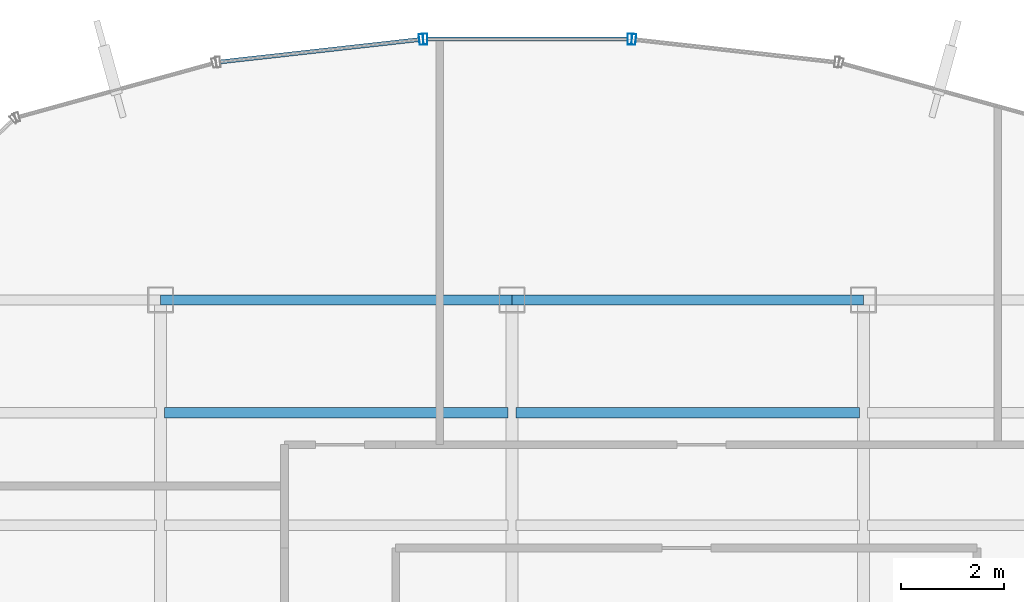
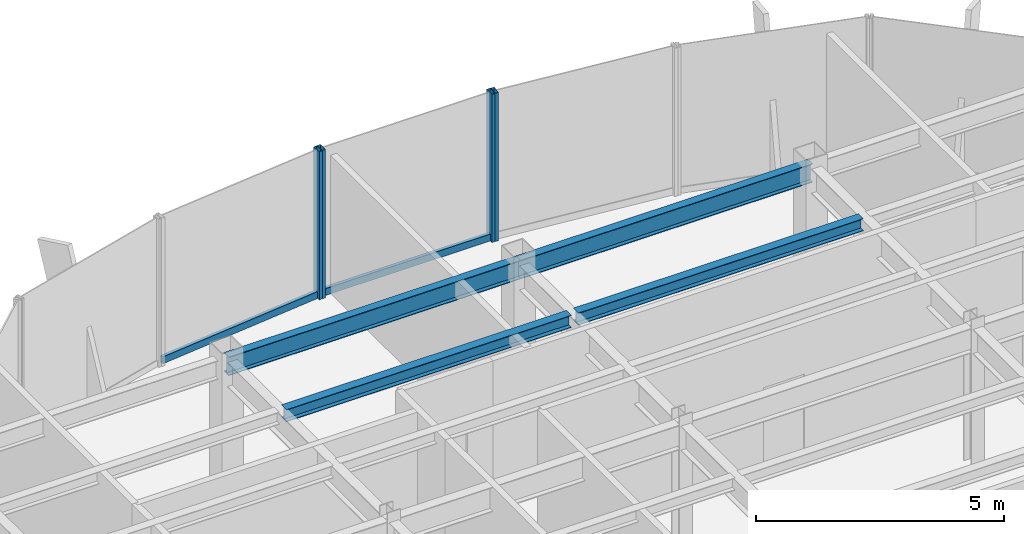
# One storey, part 13 of 22: 6 members, 4 beams, 3 elements without a shape of their own.
"""IFC4 building model written with IfcOpenShell, lengths in metres."""

from ifc_helpers import new_model, si_unit, derived_unit, direction, frame, origin, origin_2d, place, context, subcontext, project, spatial, hollow_rectangle, i_section, extrude, source, transform, mapped, material, material_profile, profile_set, type_object, element, aggregate, save


model = new_model("IFC4")

# Units and contexts
model_context = context("Model", 3, precision=1e-05, world=origin(), true_north=direction((0.0, 1.0)))
body_context = subcontext(model_context, "Body", "Model", "MODEL_VIEW")
ifc_project = project(units=[si_unit("LENGTHUNIT", "METRE"), si_unit("AREAUNIT", "SQUARE_METRE"), si_unit("VOLUMEUNIT", "CUBIC_METRE"), si_unit("PLANEANGLEUNIT", "RADIAN"), si_unit("MASSUNIT", "GRAM", prefix="KILO"), derived_unit("THERMALTRANSMITTANCEUNIT", [(si_unit("POWERUNIT", "WATT"), 1), (si_unit("LENGTHUNIT", "METRE"), -2), (si_unit("THERMODYNAMICTEMPERATUREUNIT", "KELVIN"), -1)])], contexts=[model_context])

# Site, building, storey
site_placement = place(None, origin())
site = spatial("IfcSite", under=ifc_project, at=site_placement, CompositionType="ELEMENT")
building_placement = place(site_placement, origin())
building = spatial("IfcBuilding", under=site, at=building_placement, Name="Skarnbrae Concourse Arena and Tower", CompositionType="ELEMENT")
storey_placement = place(building_placement, frame((0.0, 0.0, 269.75)))
storey = spatial("IfcBuildingStorey", under=building, at=storey_placement, Name="L70", CompositionType="ELEMENT", Elevation=269.75)

# Beams
ifc_material_1 = material(Name="Steel CSA G40.21 350W", Category="steel")
ifc_material_profile_1 = material_profile(ifc_material_1, i_section(OverallWidth=0.19091796875, OverallDepth=0.4599609375, WebThickness=0.010009765625, FlangeThickness=0.01611328125, at=origin_2d()), Name="W460X82")
ifc_profile_set_1 = profile_set([ifc_material_profile_1], Name="Steel CSA G40.21 350W")
beam_type_1 = type_object("IfcBeamType", Name="BM-SPAN-W460X82", PredefinedType="SPANDREL", material=ifc_profile_set_1)
shared_shape_1 = source(origin(), body_context, "Body", "SweptSolid", [
    extrude(i_section(OverallWidth=0.19091796875, OverallDepth=0.4599609375, WebThickness=0.010009765625, FlangeThickness=0.01611328125, at=origin_2d()), origin(), (0.0, 0.0, 1.0), 6.800048828125),
])
for number, where, z_axis, x_axis, name in (
    (1, (14.39990234375, 34.39990234375, 3.169921875), (1.0, 0.0, 0.0), (0.0, 1.0, 0.0), "L70 Perimeter spandrel Y34.4-2"),
    (2, (21.199951171875, 34.39990234375, 3.169921875), (1.0, 0.0, 0.0), (0.0, 1.0, 0.0), "L70 Perimeter spandrel Y34.4-3"),
):
    element("IfcBeam", number, at=place(storey_placement, frame(where, z_axis=z_axis, x_axis=x_axis)), inside=storey, type_object=beam_type_1, Name=name, PredefinedType="SPANDREL", context=body_context, shape_type="MappedRepresentation", body=[
        mapped(shared_shape_1, transform((0.0, 0.0, 0.0))),
    ])
ifc_material_profile_2 = material_profile(ifc_material_1, i_section(OverallWidth=0.202880859375, OverallDepth=0.302978515625, WebThickness=0.007568359375, FlangeThickness=0.01318359375, at=origin_2d()), Name="W310X60")
ifc_profile_set_2 = profile_set([ifc_material_profile_2], Name="Steel CSA G40.21 350W")
beam_type_2 = type_object("IfcBeamType", Name="BM-JOIST-W310X60", PredefinedType="JOIST", material=ifc_profile_set_2)
shared_shape_2 = source(origin(), body_context, "Body", "SweptSolid", [
    extrude(i_section(OverallWidth=0.202880859375, OverallDepth=0.302978515625, WebThickness=0.007568359375, FlangeThickness=0.01318359375, at=origin_2d()), origin(), (0.0, 0.0, 1.0), 6.64013671875),
])
beam_1_placement = place(storey_placement, frame((14.47998046875, 32.221923828125, 3.24853515625), z_axis=(1.0, 0.0, 0.0), x_axis=(0.0, 1.0, 0.0)))
element("IfcBeam", 3, at=beam_1_placement, inside=storey, type_object=beam_type_2, Name="L70 Secondary floor joist 3.2.2", PredefinedType="JOIST", context=body_context, shape_type="MappedRepresentation", body=[
    mapped(shared_shape_2, transform((0.0, 0.0, 0.0))),
])
shared_shape_3 = source(origin(), body_context, "Body", "SweptSolid", [
    extrude(i_section(OverallWidth=0.202880859375, OverallDepth=0.302978515625, WebThickness=0.007568359375, FlangeThickness=0.01318359375, at=origin_2d()), origin(), (0.0, 0.0, 1.0), 6.639892578125),
])
beam_2_placement = place(storey_placement, frame((21.280029296875, 32.221923828125, 3.24853515625), z_axis=(1.0, 0.0, 0.0), x_axis=(0.0, 1.0, 0.0)))
element("IfcBeam", 4, at=beam_2_placement, inside=storey, type_object=beam_type_2, Name="L70 Secondary floor joist 3.2.3", PredefinedType="JOIST", context=body_context, shape_type="MappedRepresentation", body=[
    mapped(shared_shape_3, transform((0.0, 0.0, 0.0))),
])

# Curtain wall, member
ifc_material_2 = material(Name="Bronze anodised aluminium 6063-T6", Category="aluminium")
curtain_wall_type = type_object("IfcCurtainWallType", Name="CW-SYS-03-PORTAL", PredefinedType="USERDEFINED", material=ifc_material_2)
curtain_wall_1_placement = place(storey_placement, origin())
curtain_wall_1 = element("IfcCurtainWall", 5, at=curtain_wall_1_placement, inside=storey, type_object=curtain_wall_type, Name="L70 Unitised curtain wall CW-L70-E10", ObjectType="UNITISED CURTAIN WALL", PredefinedType="USERDEFINED")
ifc_material_profile_3 = material_profile(ifc_material_2, hollow_rectangle(XDim=0.080078125, YDim=0.2099609375, WallThickness=0.00439453125, at=origin_2d()), Name="ALU-MULL-80X210")
ifc_profile_set_3 = profile_set([ifc_material_profile_3], Name="Bronze anodised aluminium 6063-T6")
member_type_1 = type_object("IfcMemberType", Name="CWM-CW-03", PredefinedType="MULLION", material=ifc_profile_set_3)
shared_shape_4 = source(origin(), body_context, "Body", "SweptSolid", [
    extrude(hollow_rectangle(XDim=0.080078125, YDim=0.2099609375, WallThickness=0.00439453125, at=origin_2d()), origin(), (0.0, 0.0, 1.0), 3.64990234375),
])
member_1_placement = place(storey_placement, frame((23.556884765625, 39.442138671875, 0.0), z_axis=(0.0, 0.0, 1.0), x_axis=(-0.993768891873, 0.111460259941, 0.0)))
member_1 = element("IfcMember", 6, at=member_1_placement, type_object=member_type_1, Name="CW-L70-E10 Mullion 2", PredefinedType="MULLION", context=body_context, shape_type="MappedRepresentation", body=[
    mapped(shared_shape_4, transform((0.0, 0.0, 0.0))),
])
aggregate(curtain_wall_1, [member_1])

# Curtain wall, members
curtain_wall_2_placement = place(storey_placement, origin())
curtain_wall_2 = element("IfcCurtainWall", 7, at=curtain_wall_2_placement, inside=storey, type_object=curtain_wall_type, Name="L70 Unitised curtain wall CW-L70-E11", ObjectType="UNITISED CURTAIN WALL", PredefinedType="USERDEFINED")
member_2_placement = place(storey_placement, frame((23.477294921875, 39.44677734375, 0.0), z_axis=(0.0, 0.0, 1.0), x_axis=(-1.0, 0.0, 0.0)))
member_2 = element("IfcMember", 8, at=member_2_placement, type_object=member_type_1, Name="CW-L70-E11 Mullion 1", PredefinedType="MULLION", context=body_context, shape_type="MappedRepresentation", body=[
    mapped(shared_shape_4, transform((0.0, 0.0, 0.0))),
])
member_3_placement = place(storey_placement, frame((19.522705078125, 39.44677734375, 0.0), z_axis=(0.0, 0.0, 1.0), x_axis=(-1.0, 0.0, 0.0)))
member_3 = element("IfcMember", 9, at=member_3_placement, type_object=member_type_1, Name="CW-L70-E11 Mullion 2", PredefinedType="MULLION", context=body_context, shape_type="MappedRepresentation", body=[
    mapped(shared_shape_4, transform((0.0, 0.0, 0.0))),
])

curtain_wall_3_placement = place(storey_placement, origin())
curtain_wall_3 = element("IfcCurtainWall", 10, at=curtain_wall_3_placement, inside=storey, type_object=curtain_wall_type, Name="L70 Unitised curtain wall CW-L70-E12", ObjectType="UNITISED CURTAIN WALL", PredefinedType="USERDEFINED")
member_4_placement = place(storey_placement, frame((19.443115234375, 39.442138671875, 0.0), z_axis=(0.0, 0.0, 1.0), x_axis=(-0.993768891873, -0.111460259941, 0.0)))
member_4 = element("IfcMember", 11, at=member_4_placement, type_object=member_type_1, Name="CW-L70-E12 Mullion 1", PredefinedType="MULLION", context=body_context, shape_type="MappedRepresentation", body=[
    mapped(shared_shape_4, transform((0.0, 0.0, 0.0))),
])
ifc_material_profile_4 = material_profile(ifc_material_2, hollow_rectangle(XDim=0.080078125, YDim=0.169921875, WallThickness=0.00439453125, at=origin_2d()), Name="ALU-TRAN-80X170")
ifc_profile_set_4 = profile_set([ifc_material_profile_4], Name="Bronze anodised aluminium 6063-T6")
member_type_2 = type_object("IfcMemberType", Name="CWT-CW-03", PredefinedType="USERDEFINED", material=ifc_profile_set_4)
shared_shape_5 = source(origin(), body_context, "Body", "SweptSolid", [
    extrude(hollow_rectangle(XDim=0.080078125, YDim=0.169921875, WallThickness=0.00439453125, at=origin_2d()), origin(), (0.0, 0.0, 1.0), 3.873779296875),
])
member_5_placement = place(storey_placement, frame((19.4033203125, 39.437744140625, 0.0849609375), z_axis=(-0.993772558096, -0.111427567397, 0.0), x_axis=(0.111427567397, -0.993772558096, 0.0)))
member_5 = element("IfcMember", 12, at=member_5_placement, type_object=member_type_2, Name="CW-L70-E12 Transom 1", ObjectType="TRANSOM", PredefinedType="USERDEFINED", context=body_context, shape_type="MappedRepresentation", body=[
    mapped(shared_shape_5, transform((0.0, 0.0, 0.0))),
])
aggregate(curtain_wall_3, [member_4, member_5])

# Member
shared_shape_6 = source(origin(), body_context, "Body", "SweptSolid", [
    extrude(hollow_rectangle(XDim=0.080078125, YDim=0.169921875, WallThickness=0.00439453125, at=origin_2d()), origin(), (0.0, 0.0, 1.0), 3.87451171875),
])
member_6_placement = place(storey_placement, frame((23.437255859375, 39.44677734375, 0.0849609375), z_axis=(-1.0, 0.0, 0.0), x_axis=(0.0, -1.0, 0.0)))
member_6 = element("IfcMember", 13, at=member_6_placement, type_object=member_type_2, Name="CW-L70-E11 Transom 1", ObjectType="TRANSOM", PredefinedType="USERDEFINED", context=body_context, shape_type="MappedRepresentation", body=[
    mapped(shared_shape_6, transform((0.0, 0.0, 0.0))),
])

aggregate(curtain_wall_2, [member_2, member_3, member_6])

save(model, "model.ifc")
